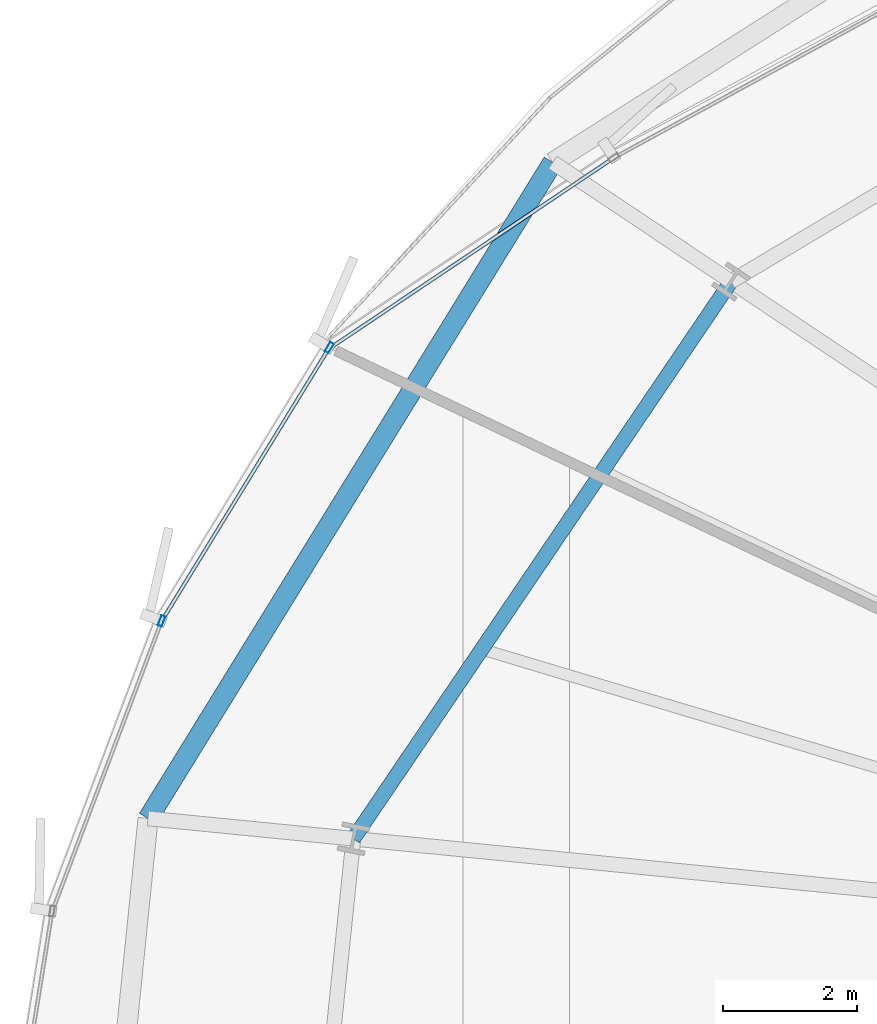
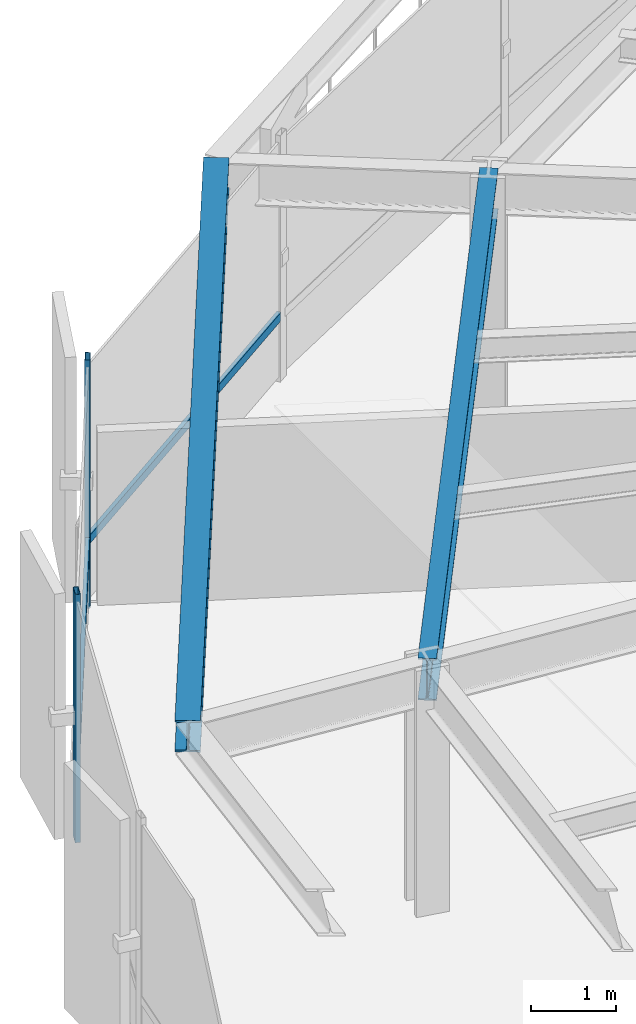
# One storey, part 17 of 38: 4 members, 2 beams, 1 element without a shape of its own.
"""IFC4 building model written with IfcOpenShell, lengths in metres."""

from ifc_helpers import new_model, si_unit, direction, frame, origin, origin_2d, place, context, subcontext, project, spatial, hollow_rectangle, i_section, extrude, source, transform, mapped, material, layer, layer_set, material_profile, profile_set, type_object, element, aggregate, save


model = new_model("IFC4")

# Units and contexts
model_context = context("Model", 3, precision=1e-05, world=origin(), true_north=direction((0.0, 1.0)))
body_context = subcontext(model_context, "Body", "Model", "MODEL_VIEW")
ifc_project = project(units=[si_unit("LENGTHUNIT", "METRE"), si_unit("AREAUNIT", "SQUARE_METRE"), si_unit("VOLUMEUNIT", "CUBIC_METRE"), si_unit("PLANEANGLEUNIT", "RADIAN"), si_unit("MASSUNIT", "GRAM", prefix="KILO"), si_unit("THERMODYNAMICTEMPERATUREUNIT", "KELVIN")], contexts=[model_context])

# Site, building, storey
site_placement = place(None, origin())
site = spatial("IfcSite", under=ifc_project, at=site_placement, CompositionType="ELEMENT")
building_placement = place(site_placement, origin())
building = spatial("IfcBuilding", under=site, at=building_placement, Name="Kethvar Cultural Tower", CompositionType="ELEMENT")
storey_placement = place(building_placement, frame((0.0, 0.0, 67.60009765625)))
storey = spatial("IfcBuildingStorey", under=building, at=storey_placement, Name="L16", CompositionType="ELEMENT", Elevation=67.60009765625)

# Beams
ifc_material_1 = material(Name="Steel S355J2", Category="steel")
ifc_material_profile_1 = material_profile(ifc_material_1, i_section(OverallWidth=0.219970703125, OverallDepth=0.60009765625, WebThickness=0.011962890625, FlangeThickness=0.01904296875, FilletRadius=0.02392578125, at=origin_2d()), Name="Steel S355J2 — IPE600")
ifc_profile_set_1 = profile_set([ifc_material_profile_1], Name="Steel S355J2 — IPE600")
beam_type_1 = type_object("IfcBeamType", Name="BM-IPE600", PredefinedType="BEAM", material=ifc_profile_set_1)
shared_shape_1 = source(origin(), body_context, "Body", "SweptSolid", [
    extrude(i_section(OverallWidth=0.219970703125, OverallDepth=0.60009765625, WebThickness=0.011962890625, FlangeThickness=0.01904296875, FilletRadius=0.02392578125, at=origin_2d()), origin(), (0.0, 0.0, 1.0), 10.048583984375),
])
beam_1_placement = place(storey_placement, frame((26.6845703125, 41.24072265625, 3.247802734375), z_axis=(-0.561025415443, -0.827798576483, 0.0), x_axis=(0.827798576483, -0.561025415443, 0.0)))
element("IfcBeam", 1, at=beam_1_placement, inside=storey, type_object=beam_type_1, Name="L16 Column Ring Tie Beam CR-07", PredefinedType="BEAM", context=body_context, shape_type="MappedRepresentation", body=[
    mapped(shared_shape_1, transform((0.0, 0.0, 0.0), scale=1.0)),
])
ifc_material_profile_2 = material_profile(ifc_material_1, i_section(OverallWidth=0.300048828125, OverallDepth=0.449951171875, WebThickness=0.013916015625, FlangeThickness=0.02587890625, FilletRadius=0.027099609375, at=origin_2d()), Name="Steel S355J2 — HEB450")
ifc_profile_set_2 = profile_set([ifc_material_profile_2], Name="Steel S355J2 — HEB450")
beam_type_2 = type_object("IfcBeamType", Name="BM-SP450", PredefinedType="SPANDREL", material=ifc_profile_set_2)
shared_shape_2 = source(origin(), body_context, "Body", "SweptSolid", [
    extrude(i_section(OverallWidth=0.300048828125, OverallDepth=0.449951171875, WebThickness=0.013916015625, FlangeThickness=0.02587890625, FilletRadius=0.027099609375, at=origin_2d()), origin(), (0.0, 0.0, 1.0), 11.50732421875),
])
beam_2_placement = place(storey_placement, frame((24.02392578125, 43.0185546875, 3.322998046875), z_axis=(-0.525018069703, -0.851091080018, 0.0), x_axis=(0.851091080018, -0.525018069703, 0.0)))
element("IfcBeam", 2, at=beam_2_placement, inside=storey, type_object=beam_type_2, Name="L16 Perimeter Spandrel Beam SP-07", PredefinedType="SPANDREL", context=body_context, shape_type="MappedRepresentation", body=[
    mapped(shared_shape_2, transform((0.0, 0.0, 0.0), scale=1.0)),
])

# Curtain wall, members
ifc_material_2 = material(Name="Aluminium 6063-T6", Category="aluminium")
ifc_layer = layer(ifc_material_2, 0.179931640625, Name="Aluminium 6063-T6", Category="aluminium")
ifc_layer_set = layer_set([ifc_layer], Name="Aluminium 6063-T6 (180 mm)")
curtain_wall_type = type_object("IfcCurtainWallType", Name="CW-SYS-02-Z1", PredefinedType="NOTDEFINED", material=ifc_layer_set)
curtain_wall_placement = place(storey_placement, origin())
curtain_wall = element("IfcCurtainWall", 3, at=curtain_wall_placement, inside=storey, type_object=curtain_wall_type, Name="L16 Curtain Wall Run 03", PredefinedType="NOTDEFINED")
ifc_material_profile_3 = material_profile(ifc_material_2, hollow_rectangle(XDim=0.06494140625, YDim=0.159912109375, WallThickness=0.0048828125, at=origin_2d()), Name="Aluminium 6063-T6 — RHS160x65x5")
ifc_profile_set_3 = profile_set([ifc_material_profile_3], Name="Aluminium 6063-T6 — RHS160x65x5")
member_type_1 = type_object("IfcMemberType", Name="CW-SYS-02-Z1-MUL", PredefinedType="MULLION", material=ifc_profile_set_3)
shared_shape_3 = source(origin(), body_context, "Body", "SweptSolid", [
    extrude(hollow_rectangle(XDim=0.06494140625, YDim=0.159912109375, WallThickness=0.0048828125, at=origin_2d()), origin(), (0.0, 0.0, 1.0), 3.5498046875),
])
member_1_placement = place(storey_placement, frame((20.68798828125, 40.25390625, 0.0), z_axis=(0.0, 0.0, 1.0), x_axis=(0.852612805224, -0.522543208134, 0.0)))
member_1 = element("IfcMember", 4, at=member_1_placement, type_object=member_type_1, Name="CW-L16-R03 Mullion 4", PredefinedType="MULLION", context=body_context, shape_type="MappedRepresentation", body=[
    mapped(shared_shape_3, transform((0.0, 0.0, 0.0), scale=1.0)),
])
member_2_placement = place(storey_placement, frame((18.184814453125, 36.173583984375, 0.0), z_axis=(0.0, 0.0, 1.0), x_axis=(0.935862884311, -0.352364387771, 0.0)))
member_2 = element("IfcMember", 5, at=member_2_placement, type_object=member_type_1, Name="CW-L16-R03 Mullion 5", PredefinedType="MULLION", context=body_context, shape_type="MappedRepresentation", body=[
    mapped(shared_shape_3, transform((0.0, 0.0, 0.0), scale=1.0)),
])
ifc_material_profile_4 = material_profile(ifc_material_2, hollow_rectangle(XDim=0.054931640625, YDim=0.1201171875, WallThickness=0.00390625, at=origin_2d()), Name="Aluminium 6063-T6 — RHS120x55x4")
ifc_profile_set_4 = profile_set([ifc_material_profile_4], Name="Aluminium 6063-T6 — RHS120x55x4")
member_type_2 = type_object("IfcMemberType", Name="CW-SYS-02-Z1-TRN", PredefinedType="USERDEFINED", material=ifc_profile_set_4)
shared_shape_4 = source(origin(), body_context, "Body", "SweptSolid", [
    extrude(hollow_rectangle(XDim=0.054931640625, YDim=0.1201171875, WallThickness=0.00390625, at=origin_2d()), origin(), (0.0, 0.0, 1.0), 5.065185546875),
])
member_3_placement = place(storey_placement, frame((24.898681640625, 43.063232421875, 0.949951171875), z_axis=(-0.830638673541, -0.556811812032, 0.0), x_axis=(0.556811812032, -0.830638673541, 0.0)))
member_3 = element("IfcMember", 6, at=member_3_placement, type_object=member_type_2, Name="CW-L16-R03 Transom 3", ObjectType="TRANSOM", PredefinedType="USERDEFINED", context=body_context, shape_type="MappedRepresentation", body=[
    mapped(shared_shape_4, transform((0.0, 0.0, 0.0), scale=1.0)),
])
shared_shape_5 = source(origin(), body_context, "Body", "SweptSolid", [
    extrude(hollow_rectangle(XDim=0.054931640625, YDim=0.1201171875, WallThickness=0.00390625, at=origin_2d()), origin(), (0.0, 0.0, 1.0), 4.7158203125),
])
member_4_placement = place(storey_placement, frame((20.66357421875, 40.2138671875, 0.949951171875), z_axis=(-0.522565699834, -0.852599020265, 0.0), x_axis=(0.852599020265, -0.522565699834, 0.0)))
member_4 = element("IfcMember", 7, at=member_4_placement, type_object=member_type_2, Name="CW-L16-R03 Transom 4", ObjectType="TRANSOM", PredefinedType="USERDEFINED", context=body_context, shape_type="MappedRepresentation", body=[
    mapped(shared_shape_5, transform((0.0, 0.0, 0.0), scale=1.0)),
])
aggregate(curtain_wall, [member_1, member_2, member_3, member_4])

save(model, "model.ifc")
